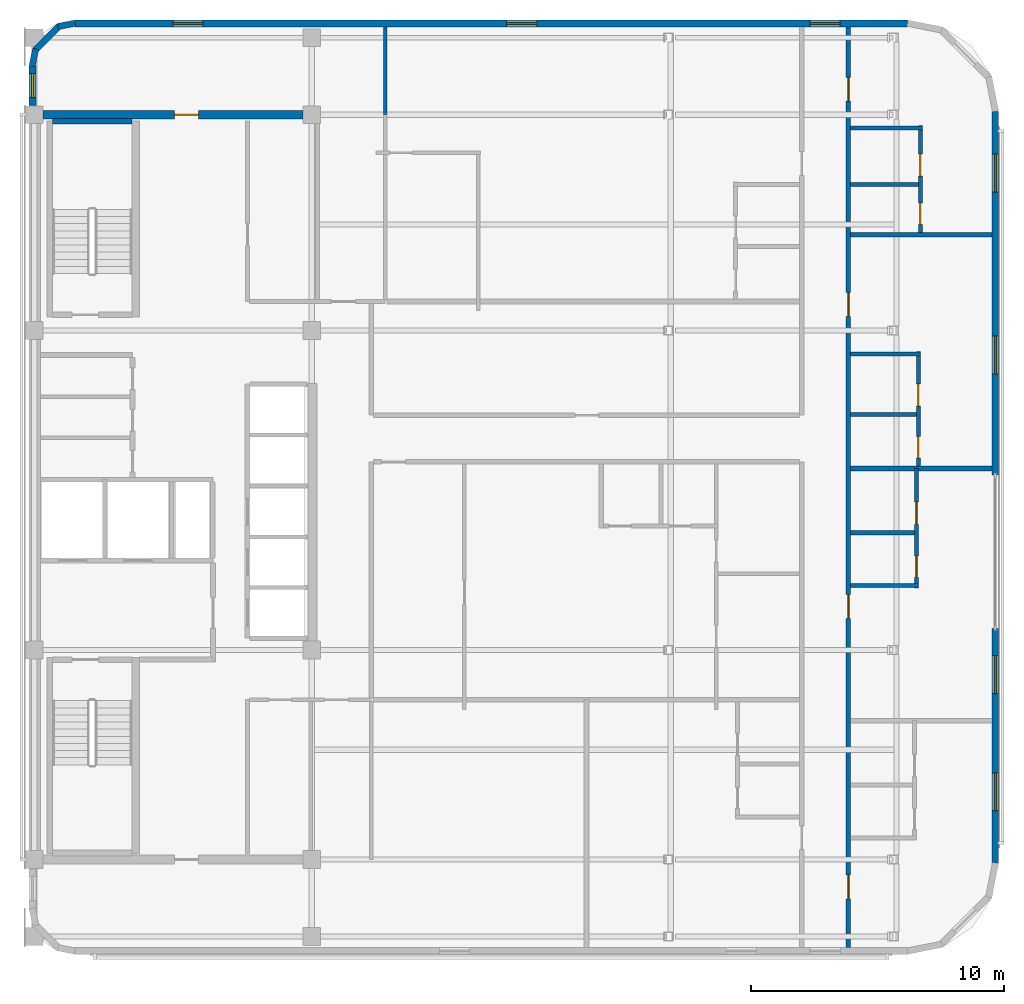
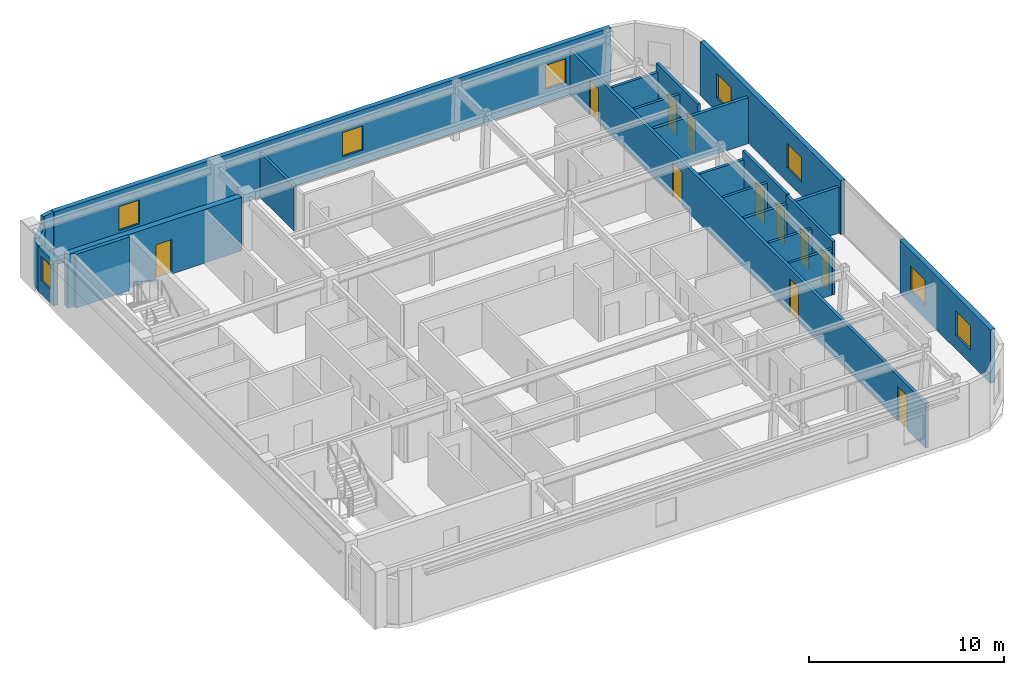
# One storey, part 6 of 10: 22 walls, 11 doors, 8 windows, 19 openings.
"""IFC4 building model written with IfcOpenShell, lengths in metres."""

import ifcopenshell
import ifcopenshell.guid

model = None  # the IFC model being written
_history = None  # IfcOwnerHistory: only IFC2X3 demands one
_inside = {}  # id of a spatial element -> (the spatial element, [elements in it])
_under = {}  # id of a project, library or spatial element -> (it, [spatial elements below it])
_declared = {}  # id of a project -> (the project, [libraries it declares])
_typed = {}  # id of a type object -> (the type object, [elements of that type])
_made_of = {}  # id of a material, layer set ... -> (it, [elements and type objects made of it])


def new_model(schema):
    """Start an empty IFC model of exactly this schema.

    Asked for "IFC4X3", IfcOpenShell would pick the latest addendum, in which some entities
    have other attributes; the version numbers below select the first issue.
    IFC2X3 requires an IfcOwnerHistory on every rooted entity: one is made here for all.
    """
    global model, _history
    if schema == "IFC4X3":
        model = ifcopenshell.file(schema_version=(4, 3, 0, 0))
    else:
        model = ifcopenshell.file(schema=schema)
    _inside.clear()
    _under.clear()
    _declared.clear()
    _typed.clear()
    _made_of.clear()
    _history = None
    if model.schema == "IFC2X3":
        org = make("IfcOrganization", Name="unknown")
        user = make(
            "IfcPersonAndOrganization",
            ThePerson=make("IfcPerson", FamilyName="unknown"),
            TheOrganization=org,
        )
        app = make(
            "IfcApplication",
            ApplicationDeveloper=org,
            Version="unknown",
            ApplicationFullName="unknown",
            ApplicationIdentifier="unknown",
        )
        _history = make(
            "IfcOwnerHistory",
            OwningUser=user,
            OwningApplication=app,
            ChangeAction="ADDED",
            CreationDate=0,
        )
    return model


def make(cls, **values):
    """One entity of the class cls with the attributes given. An attribute that is None is left unset."""
    return model.create_entity(
        cls, **{name: value for name, value in values.items() if value is not None}
    )


def rooted(cls, **values):
    """An entity with a GlobalId (a new one), such as an element, a storey or a relation."""
    return make(cls, GlobalId=ifcopenshell.guid.new(), OwnerHistory=_history, **values)


def si_unit(unit_type, name, prefix=None):
    """IfcSIUnit, for example si_unit("LENGTHUNIT", "METRE", prefix="MILLI")."""
    return make("IfcSIUnit", UnitType=unit_type, Prefix=prefix, Name=name)


def assignment(units):
    """IfcUnitAssignment: the units of a project."""
    return None if units is None else make("IfcUnitAssignment", Units=units)


def point(xyz):
    """IfcCartesianPoint."""
    return None if xyz is None else make("IfcCartesianPoint", Coordinates=xyz)


def direction(xyz):
    """IfcDirection."""
    return None if xyz is None else make("IfcDirection", DirectionRatios=xyz)


def frame(location, z_axis=None, x_axis=None):
    """IfcAxis2Placement3D, a coordinate frame: its origin and axes. An axis left out is left unset."""
    return make(
        "IfcAxis2Placement3D",
        Location=point(location),
        Axis=direction(z_axis),
        RefDirection=direction(x_axis),
    )


def frame_2d(location, x_axis=None):
    """IfcAxis2Placement2D, a coordinate frame in the plane: its origin and x axis."""
    return make(
        "IfcAxis2Placement2D", Location=point(location), RefDirection=direction(x_axis)
    )


def origin():
    """The frame at (0, 0, 0) with its axes left unset."""
    return frame((0.0, 0.0, 0.0))


def place(relative_to, where):
    """IfcLocalPlacement: puts the frame where relative to a parent placement (None: the world)."""
    return make(
        "IfcLocalPlacement", PlacementRelTo=relative_to, RelativePlacement=where
    )


def context(
    kind, dimensions, precision=None, world=None, true_north=None, identifier=None
):
    """IfcGeometricRepresentationContext, for example the 3D "Model" context."""
    return make(
        "IfcGeometricRepresentationContext",
        ContextIdentifier=identifier,
        ContextType=kind,
        CoordinateSpaceDimension=dimensions,
        Precision=precision,
        WorldCoordinateSystem=world,
        TrueNorth=true_north,
    )


def subcontext(parent, identifier, kind, view, scale=None):
    """IfcGeometricRepresentationSubContext, for example "Body" below "Model"."""
    return make(
        "IfcGeometricRepresentationSubContext",
        ContextIdentifier=identifier,
        ContextType=kind,
        ParentContext=parent,
        TargetScale=scale,
        TargetView=view,
    )


def project(units=None, contexts=None):
    """IfcProject with its units and contexts."""
    return rooted(
        "IfcProject",
        Name="project",
        RepresentationContexts=contexts,
        UnitsInContext=assignment(units),
    )


def spatial(cls, under=None, at=None, **own):
    """A site, building, storey or space (cls), placed at a placement, below another one or the project."""
    s = rooted(cls, ObjectPlacement=at, **own)
    if under is not None:
        _under.setdefault(under.id(), (under, []))[1].append(s)
    return s


def profile(cls, at=None, kind="AREA", **sizes):
    """A parametric profile (cls). Its sizes go by their IFC names, for example OverallWidth=200.0."""
    return make(cls, ProfileType=kind, Position=at, **sizes)


def rectangle(**sizes):
    """IfcRectangleProfileDef."""
    return profile("IfcRectangleProfileDef", **sizes)


def extrude(swept, where, along, depth):
    """IfcExtrudedAreaSolid: the profile swept, set in the frame where, extruded along a direction by depth."""
    return make(
        "IfcExtrudedAreaSolid",
        SweptArea=swept,
        Position=where,
        ExtrudedDirection=direction(along),
        Depth=depth,
    )


def shape(context_of_items, identifier, shape_type, items):
    """IfcShapeRepresentation: the items that make up one representation, for example the "Body"."""
    return make(
        "IfcShapeRepresentation",
        ContextOfItems=context_of_items,
        RepresentationIdentifier=identifier,
        RepresentationType=shape_type,
        Items=items,
    )


def material(Name=None, Category=None):
    """IfcMaterial."""
    return make("IfcMaterial", Name=Name, Category=Category)


def layer(
    of_material, thickness, ventilated=None, Name=None, Category=None, Priority=None
):
    """IfcMaterialLayer: one layer of a wall or slab, of a material (None: an air gap)."""
    return make(
        "IfcMaterialLayer",
        Material=of_material,
        LayerThickness=thickness,
        IsVentilated=ventilated,
        Name=Name,
        Category=Category,
        Priority=Priority,
    )


def layer_set(layers, Name=None):
    """IfcMaterialLayerSet."""
    return make("IfcMaterialLayerSet", MaterialLayers=layers, LayerSetName=Name)


def made_of(thing, what):
    """Note that an element or type object is made of a material, layer set ...; save() writes the relation."""
    if what is not None:
        _made_of.setdefault(what.id(), (what, []))[1].append(thing)
    return thing


def type_object(cls, material=None, **own):
    """A type object (cls), such as IfcWallType, which elements share."""
    return made_of(rooted(cls, **own), material)


def element(
    cls,
    number,
    at=None,
    inside=None,
    cuts=None,
    type_object=None,
    material=None,
    context=None,
    identifier="Body",
    shape_type=None,
    held_by="IfcProductDefinitionShape",
    body=None,
    shapes=None,
    **own,
):
    """One element of the class cls, such as IfcWall. Its Tag is "e" and its number.

    at: its placement. inside: the storey or other place that contains it. cuts: it is an
    opening in that element (IfcRelVoidsElement). A single representation is given by context,
    identifier, shape_type and body (its items); several are given by shapes. held_by: the class
    of the entity that holds the representations. save() writes the other relations.
    """
    e = rooted(cls, Tag="e%d" % number, ObjectPlacement=at, **own)
    if body is not None:
        shapes = [shape(context, identifier, shape_type, body)]
    if shapes is not None:
        e.Representation = make(held_by, Representations=shapes)
    if inside is not None:
        _inside.setdefault(inside.id(), (inside, []))[1].append(e)
    if cuts is not None:
        rooted(
            "IfcRelVoidsElement", RelatingBuildingElement=cuts, RelatedOpeningElement=e
        )
    if type_object is not None:
        _typed.setdefault(type_object.id(), (type_object, []))[1].append(e)
    return made_of(e, material)


def fill(opening, filler):
    """IfcRelFillsElement: the door or window that sits in an opening."""
    return rooted(
        "IfcRelFillsElement",
        RelatingOpeningElement=opening,
        RelatedBuildingElement=filler,
    )


def aggregate(whole, parts):
    """IfcRelAggregates: a whole, such as a stair, and the parts it consists of."""
    return rooted("IfcRelAggregates", RelatingObject=whole, RelatedObjects=parts)


def save(model, path):
    """Write the relations noted so far, then the file.

    IfcRelAggregates (storeys below a building ...), IfcRelContainedInSpatialStructure (elements
    in a storey), IfcRelDefinesByType, IfcRelAssociatesMaterial and IfcRelDeclares: one each for
    every whole, place, type object, material and project.
    """
    for whole, parts in _under.values():
        aggregate(whole, parts)
    for where, things in _inside.values():
        rooted(
            "IfcRelContainedInSpatialStructure",
            RelatedElements=things,
            RelatingStructure=where,
        )
    for kind, things in _typed.values():
        rooted("IfcRelDefinesByType", RelatedObjects=things, RelatingType=kind)
    for what, things in _made_of.values():
        rooted("IfcRelAssociatesMaterial", RelatedObjects=things, RelatingMaterial=what)
    for by, libraries in _declared.values():
        rooted("IfcRelDeclares", RelatingContext=by, RelatedDefinitions=libraries)
    model.write(path)


model = new_model("IFC4")

# Units and contexts
model_context = context("Model", 3, precision=1e-05, world=origin(), true_north=direction((0.0, 1.0)))
body_context = subcontext(model_context, "Body", "Model", "MODEL_VIEW")
ifc_project = project(units=[si_unit("LENGTHUNIT", "METRE"), si_unit("AREAUNIT", "SQUARE_METRE"), si_unit("VOLUMEUNIT", "CUBIC_METRE"), si_unit("PLANEANGLEUNIT", "RADIAN"), si_unit("MASSUNIT", "GRAM", prefix="KILO")], contexts=[model_context])

# Site, building, storey
site_placement = place(None, origin())
site = spatial("IfcSite", under=ifc_project, at=site_placement, CompositionType="ELEMENT")
building_placement = place(site_placement, origin())
building = spatial("IfcBuilding", under=site, at=building_placement, Name="Ochreholt Gables", CompositionType="ELEMENT")
storey_placement = place(building_placement, frame((0.0, 0.0, 267.60009765625)))
storey = spatial("IfcBuildingStorey", under=building, at=storey_placement, Name="L70", CompositionType="ELEMENT", Elevation=267.60009765625)

# Wall, opening, door
ifc_material_1 = material(Name="Concrete 50 MPa", Category="concrete")
ifc_layer_1 = layer(ifc_material_1, 0.35009765625, Name="Concrete 50 MPa")
ifc_layer_set_1 = layer_set([ifc_layer_1], Name="Concrete 50 MPa")
wall_type_1 = type_object("IfcWallType", Name="WALL-CSW-350", PredefinedType="SHEAR", material=ifc_layer_set_1)
wall_1_placement = place(storey_placement, frame((24.550048828125, 38.75, 0.0), z_axis=(0.0, 0.0, 1.0), x_axis=(1.0, 0.0, 0.0)))
wall_1 = element("IfcWall", 1, at=wall_1_placement, inside=storey, type_object=wall_type_1, Name="L70 Core North Shear Wall", PredefinedType="SHEAR", context=body_context, shape_type="SweptSolid", body=[
    extrude(rectangle(XDim=10.300048828125, YDim=0.35009765625, at=frame_2d((5.14990234375, 0.0))), origin(), (0.0, 0.0, 1.0), 3.35986328125),
])
opening_1_placement = place(wall_1_placement, frame((5.199951171875, 0.0, 0.0)))
opening_1 = element("IfcOpeningElement", 2, at=opening_1_placement, cuts=wall_1, Name="Opening D-FL2", PredefinedType="OPENING", context=body_context, shape_type="SweptSolid", body=[
    extrude(rectangle(XDim=0.949951171875, YDim=2.14990234375, at=frame_2d((0.47509765625, 1.074951171875))), frame((0.0, 0.18505859375, 0.0), z_axis=(0.0, -1.0, 0.0), x_axis=(1.0, 0.0, 0.0)), (0.0, 0.0, 1.0), 0.3701171875),
])
ifc_material_2 = material(Name="Hollow Metal Steel", Category="steel")
door_type_1 = type_object("IfcDoorType", Name="DR-INT-FLB950", OperationType="NOTDEFINED", PredefinedType="DOOR", material=ifc_material_2)
door_1_placement = place(opening_1_placement, origin())
door_1 = element("IfcDoor", 3, at=door_1_placement, inside=storey, type_object=door_type_1, Name="L70 Door D-C3NSR-L70", OperationType="SINGLE_SWING_RIGHT", OverallHeight=2.14990234375, OverallWidth=0.949951171875, PredefinedType="DOOR", context=body_context, shape_type="SweptSolid", body=[
    extrude(rectangle(XDim=0.949951171875, YDim=2.14990234375, at=frame_2d((0.47509765625, 1.074951171875))), frame((0.0, 0.02490234375, 0.0), z_axis=(0.0, -1.0, 0.0), x_axis=(1.0, 0.0, 0.0)), (0.0, 0.0, 1.0), 0.050048828125),
])
fill(opening_1, door_1)

# Wall, openings, windows
ifc_material_3 = material(Name="Precast concrete 40 MPa", Category="concrete")
ifc_layer_2 = layer(ifc_material_3, 0.27001953125, Name="Precast concrete 40 MPa")
ifc_layer_set_2 = layer_set([ifc_layer_2], Name="Precast concrete 40 MPa")
wall_type_2 = type_object("IfcWallType", Name="WALL-EXT-270", PredefinedType="SOLIDWALL", material=ifc_layer_set_2)
wall_2_placement = place(storey_placement, frame((62.264892578125, 9.1201171875, 0.0), z_axis=(0.0, 0.0, 1.0), x_axis=(0.0, 1.0, 0.0)))
wall_2 = element("IfcWall", 4, at=wall_2_placement, inside=storey, type_object=wall_type_2, Name="L70 East Facade Wall 1", PredefinedType="SOLIDWALL", context=body_context, shape_type="SweptSolid", body=[
    extrude(rectangle(XDim=9.27978515625, YDim=0.27001953125, at=frame_2d((4.639892578125, 0.0))), origin(), (0.0, 0.0, 1.0), 3.35986328125),
])
opening_2_placement = place(wall_2_placement, frame((2.06494140625, 0.0, 0.85009765625)))
opening_2 = element("IfcOpeningElement", 5, at=opening_2_placement, cuts=wall_2, Name="Opening WN-2", PredefinedType="OPENING", context=body_context, shape_type="SweptSolid", body=[
    extrude(rectangle(XDim=1.5, YDim=1.550048828125, at=frame_2d((0.75, 0.77490234375))), frame((0.0, 0.14501953125, 0.0), z_axis=(0.0, -1.0, 0.0), x_axis=(1.0, 0.0, 0.0)), (0.0, 0.0, 1.0), 0.2900390625),
])
opening_3_placement = place(wall_2_placement, frame((6.705078125, 0.0, 0.85009765625)))
opening_3 = element("IfcOpeningElement", 6, at=opening_3_placement, cuts=wall_2, Name="Opening WN-2", PredefinedType="OPENING", context=body_context, shape_type="SweptSolid", body=[
    extrude(rectangle(XDim=1.5, YDim=1.550048828125, at=frame_2d((0.75, 0.77490234375))), frame((0.0, 0.14501953125, 0.0), z_axis=(0.0, -1.0, 0.0), x_axis=(1.0, 0.0, 0.0)), (0.0, 0.0, 1.0), 0.2900390625),
])
ifc_material_4 = material(Name="Triple-Glazed Thermally Broken Aluminium Window", Category="aluminium")
window_type_1 = type_object("IfcWindowType", Name="WIN-RES-1500", PartitioningType="SINGLE_PANEL", PredefinedType="WINDOW", material=ifc_material_4)
window_1_placement = place(opening_2_placement, origin())
window_1 = element("IfcWindow", 7, at=window_1_placement, inside=storey, type_object=window_type_1, Name="L70 Window W-EXT-E1-L70-1", OverallHeight=1.550048828125, OverallWidth=1.5, PartitioningType="SINGLE_PANEL", PredefinedType="WINDOW", context=body_context, shape_type="SweptSolid", body=[
    extrude(rectangle(XDim=1.5, YDim=1.550048828125, at=frame_2d((0.75, 0.77490234375))), frame((0.0, 0.030029296875, 0.0), z_axis=(0.0, -1.0, 0.0), x_axis=(1.0, 0.0, 0.0)), (0.0, 0.0, 1.0), 0.06005859375),
])
fill(opening_2, window_1)
window_2_placement = place(opening_3_placement, origin())
window_2 = element("IfcWindow", 8, at=window_2_placement, inside=storey, type_object=window_type_1, Name="L70 Window W-EXT-E1-L70-2", OverallHeight=1.550048828125, OverallWidth=1.5, PartitioningType="SINGLE_PANEL", PredefinedType="WINDOW", context=body_context, shape_type="SweptSolid", body=[
    extrude(rectangle(XDim=1.5, YDim=1.550048828125, at=frame_2d((0.75, 0.77490234375))), frame((0.0, 0.030029296875, 0.0), z_axis=(0.0, -1.0, 0.0), x_axis=(1.0, 0.0, 0.0)), (0.0, 0.0, 1.0), 0.06005859375),
])
fill(opening_3, window_2)

wall_3_placement = place(storey_placement, frame((62.264892578125, 24.489990234375, 0.0), z_axis=(0.0, 0.0, 1.0), x_axis=(0.0, 1.0, 0.0)))
wall_3 = element("IfcWall", 9, at=wall_3_placement, inside=storey, type_object=wall_type_2, Name="L70 East Facade Wall 2", PredefinedType="SOLIDWALL", context=body_context, shape_type="SweptSolid", body=[
    extrude(rectangle(XDim=14.389892578125, YDim=0.27001953125, at=frame_2d((7.19482421875, 0.0))), origin(), (0.0, 0.0, 1.0), 3.35986328125),
])
opening_4_placement = place(wall_3_placement, frame((4.0, 0.0, 0.85009765625)))
opening_4 = element("IfcOpeningElement", 10, at=opening_4_placement, cuts=wall_3, Name="Opening WN-2", PredefinedType="OPENING", context=body_context, shape_type="SweptSolid", body=[
    extrude(rectangle(XDim=1.5, YDim=1.550048828125, at=frame_2d((0.75, 0.77490234375))), frame((0.0, 0.14501953125, 0.0), z_axis=(0.0, -1.0, 0.0), x_axis=(1.0, 0.0, 0.0)), (0.0, 0.0, 1.0), 0.2900390625),
])
opening_5_placement = place(wall_3_placement, frame((11.195068359375, 0.0, 0.85009765625)))
opening_5 = element("IfcOpeningElement", 11, at=opening_5_placement, cuts=wall_3, Name="Opening WN-2", PredefinedType="OPENING", context=body_context, shape_type="SweptSolid", body=[
    extrude(rectangle(XDim=1.5, YDim=1.550048828125, at=frame_2d((0.75, 0.77490234375))), frame((0.0, 0.14501953125, 0.0), z_axis=(0.0, -1.0, 0.0), x_axis=(1.0, 0.0, 0.0)), (0.0, 0.0, 1.0), 0.2900390625),
])
window_3_placement = place(opening_4_placement, origin())
window_3 = element("IfcWindow", 12, at=window_3_placement, inside=storey, type_object=window_type_1, Name="L70 Window W-EXT-E2-L70-1", OverallHeight=1.550048828125, OverallWidth=1.5, PartitioningType="SINGLE_PANEL", PredefinedType="WINDOW", context=body_context, shape_type="SweptSolid", body=[
    extrude(rectangle(XDim=1.5, YDim=1.550048828125, at=frame_2d((0.75, 0.77490234375))), frame((0.0, 0.030029296875, 0.0), z_axis=(0.0, -1.0, 0.0), x_axis=(1.0, 0.0, 0.0)), (0.0, 0.0, 1.0), 0.06005859375),
])
fill(opening_4, window_3)
window_4_placement = place(opening_5_placement, origin())
window_4 = element("IfcWindow", 13, at=window_4_placement, inside=storey, type_object=window_type_1, Name="L70 Window W-EXT-E2-L70-2", OverallHeight=1.550048828125, OverallWidth=1.5, PartitioningType="SINGLE_PANEL", PredefinedType="WINDOW", context=body_context, shape_type="SweptSolid", body=[
    extrude(rectangle(XDim=1.5, YDim=1.550048828125, at=frame_2d((0.75, 0.77490234375))), frame((0.0, 0.030029296875, 0.0), z_axis=(0.0, -1.0, 0.0), x_axis=(1.0, 0.0, 0.0)), (0.0, 0.0, 1.0), 0.06005859375),
])
fill(opening_5, window_4)

wall_4_placement = place(storey_placement, frame((58.780029296875, 42.364990234375, 0.0), z_axis=(0.0, 0.0, 1.0), x_axis=(-1.0, 0.0, 0.0)))
wall_4 = element("IfcWall", 14, at=wall_4_placement, inside=storey, type_object=wall_type_2, Name="L70 North Exterior Wall", PredefinedType="SOLIDWALL", context=body_context, shape_type="SweptSolid", body=[
    extrude(rectangle(XDim=32.9599609375, YDim=0.27001953125, at=frame_2d((16.47998046875, 0.0))), origin(), (0.0, 0.0, 1.0), 3.35986328125),
])
opening_6_placement = place(wall_4_placement, frame((27.889892578125, 0.0, 0.85009765625)))
opening_6 = element("IfcOpeningElement", 15, at=opening_6_placement, cuts=wall_4, Name="Opening WN-3", PredefinedType="OPENING", context=body_context, shape_type="SweptSolid", body=[
    extrude(rectangle(XDim=1.199951171875, YDim=1.5, at=frame_2d((0.60009765625, 0.75))), frame((0.0, 0.14501953125, 0.0), z_axis=(0.0, -1.0, 0.0), x_axis=(1.0, 0.0, 0.0)), (0.0, 0.0, 1.0), 0.2900390625),
])
opening_7_placement = place(wall_4_placement, frame((14.66748046875, 0.0, 0.85009765625)))
opening_7 = element("IfcOpeningElement", 16, at=opening_7_placement, cuts=wall_4, Name="Opening WN-3", PredefinedType="OPENING", context=body_context, shape_type="SweptSolid", body=[
    extrude(rectangle(XDim=1.199951171875, YDim=1.5, at=frame_2d((0.60009765625, 0.75))), frame((0.0, 0.14501953125, 0.0), z_axis=(0.0, -1.0, 0.0), x_axis=(1.0, 0.0, 0.0)), (0.0, 0.0, 1.0), 0.2900390625),
])
opening_8_placement = place(wall_4_placement, frame((2.655029296875, 0.0, 0.85009765625)))
opening_8 = element("IfcOpeningElement", 17, at=opening_8_placement, cuts=wall_4, Name="Opening WN-3", PredefinedType="OPENING", context=body_context, shape_type="SweptSolid", body=[
    extrude(rectangle(XDim=1.199951171875, YDim=1.5, at=frame_2d((0.60009765625, 0.75))), frame((0.0, 0.14501953125, 0.0), z_axis=(0.0, -1.0, 0.0), x_axis=(1.0, 0.0, 0.0)), (0.0, 0.0, 1.0), 0.2900390625),
])
window_type_2 = type_object("IfcWindowType", Name="WIN-RES-1200", PartitioningType="SINGLE_PANEL", PredefinedType="WINDOW", material=ifc_material_4)
window_5_placement = place(opening_6_placement, origin())
window_5 = element("IfcWindow", 18, at=window_5_placement, inside=storey, type_object=window_type_2, Name="L70 Window W-EXT-N-L70-1", OverallHeight=1.5, OverallWidth=1.199951171875, PartitioningType="SINGLE_PANEL", PredefinedType="WINDOW", context=body_context, shape_type="SweptSolid", body=[
    extrude(rectangle(XDim=1.199951171875, YDim=1.5, at=frame_2d((0.60009765625, 0.75))), frame((0.0, 0.030029296875, 0.0), z_axis=(0.0, -1.0, 0.0), x_axis=(1.0, 0.0, 0.0)), (0.0, 0.0, 1.0), 0.06005859375),
])
fill(opening_6, window_5)
window_6_placement = place(opening_7_placement, origin())
window_6 = element("IfcWindow", 19, at=window_6_placement, inside=storey, type_object=window_type_2, Name="L70 Window W-EXT-N-L70-2", OverallHeight=1.5, OverallWidth=1.199951171875, PartitioningType="SINGLE_PANEL", PredefinedType="WINDOW", context=body_context, shape_type="SweptSolid", body=[
    extrude(rectangle(XDim=1.199951171875, YDim=1.5, at=frame_2d((0.60009765625, 0.75))), frame((0.0, 0.030029296875, 0.0), z_axis=(0.0, -1.0, 0.0), x_axis=(1.0, 0.0, 0.0)), (0.0, 0.0, 1.0), 0.06005859375),
])
fill(opening_7, window_6)
window_7_placement = place(opening_8_placement, origin())
window_7 = element("IfcWindow", 20, at=window_7_placement, inside=storey, type_object=window_type_2, Name="L70 Window W-EXT-N-L70-3", OverallHeight=1.5, OverallWidth=1.199951171875, PartitioningType="SINGLE_PANEL", PredefinedType="WINDOW", context=body_context, shape_type="SweptSolid", body=[
    extrude(rectangle(XDim=1.199951171875, YDim=1.5, at=frame_2d((0.60009765625, 0.75))), frame((0.0, 0.030029296875, 0.0), z_axis=(0.0, -1.0, 0.0), x_axis=(1.0, 0.0, 0.0)), (0.0, 0.0, 1.0), 0.06005859375),
])
fill(opening_8, window_7)

# Wall, opening, window
wall_5_placement = place(storey_placement, frame((24.135009765625, 39.1201171875, 0.0), z_axis=(0.0, 0.0, 1.0), x_axis=(0.0, 1.0, 0.0)))
wall_5 = element("IfcWall", 21, at=wall_5_placement, inside=storey, type_object=wall_type_2, Name="L70 West Facade North Bay Wall", PredefinedType="SOLIDWALL", context=body_context, shape_type="SweptSolid", body=[
    extrude(rectangle(XDim=1.559814453125, YDim=0.27001953125, at=frame_2d((0.77978515625, 0.0))), origin(), (0.0, 0.0, 1.0), 2.802978515625),
])
opening_9_placement = place(wall_5_placement, frame((0.304931640625, 0.0, 0.85009765625)))
opening_9 = element("IfcOpeningElement", 22, at=opening_9_placement, cuts=wall_5, Name="Opening WN-10", PredefinedType="OPENING", context=body_context, shape_type="SweptSolid", body=[
    extrude(rectangle(XDim=0.949951171875, YDim=1.5, at=frame_2d((0.47509765625, 0.75))), frame((0.0, 0.14501953125, 0.0), z_axis=(0.0, -1.0, 0.0), x_axis=(1.0, 0.0, 0.0)), (0.0, 0.0, 1.0), 0.2900390625),
])
window_type_3 = type_object("IfcWindowType", Name="WIN-RES-950", PartitioningType="SINGLE_PANEL", PredefinedType="WINDOW", material=ifc_material_4)
window_8_placement = place(opening_9_placement, origin())
window_8 = element("IfcWindow", 23, at=window_8_placement, inside=storey, type_object=window_type_3, Name="L70 North Sky Reading West Window", OverallHeight=1.5, OverallWidth=0.949951171875, PartitioningType="SINGLE_PANEL", PredefinedType="WINDOW", context=body_context, shape_type="SweptSolid", body=[
    extrude(rectangle(XDim=0.949951171875, YDim=1.5, at=frame_2d((0.47509765625, 0.75))), frame((0.0, 0.030029296875, 0.0), z_axis=(0.0, -1.0, 0.0), x_axis=(1.0, 0.0, 0.0)), (0.0, 0.0, 1.0), 0.06005859375),
])
fill(opening_9, window_8)

# Walls
ifc_layer_3 = layer(ifc_material_3, 0.25, Name="Precast concrete 40 MPa")
ifc_layer_set_3 = layer_set([ifc_layer_3], Name="Precast concrete 40 MPa")
wall_type_3 = type_object("IfcWallType", Name="WALL-EXT-CNR", PredefinedType="SOLIDWALL", material=ifc_layer_set_3)
wall_6_placement = place(storey_placement, frame((25.81640625, 42.375732421875, 0.0), z_axis=(0.0, 0.0, 1.0), x_axis=(-0.980812594069, -0.194952956674, 0.0)))
element("IfcWall", 24, at=wall_6_placement, inside=storey, type_object=wall_type_3, Name="L70 Rounded Corner Wall NW-1", PredefinedType="SOLIDWALL", context=body_context, shape_type="SweptSolid", body=[
    extrude(rectangle(XDim=0.686279296875, YDim=0.25, at=frame_2d((0.34326171875, 0.0))), origin(), (0.0, 0.0, 1.0), 3.35986328125),
])
wall_7_placement = place(storey_placement, frame((25.19384765625, 42.26904296875, 0.0), z_axis=(0.0, 0.0, 1.0), x_axis=(-0.707106781187, -0.707106781187, 0.0)))
element("IfcWall", 25, at=wall_7_placement, inside=storey, type_object=wall_type_3, Name="L70 Rounded Corner Wall NW-2", PredefinedType="SOLIDWALL", context=body_context, shape_type="SweptSolid", body=[
    extrude(rectangle(XDim=1.36181640625, YDim=0.25, at=frame_2d((0.680908203125, 0.0))), origin(), (0.0, 0.0, 1.0), 2.802978515625),
])
wall_8_placement = place(storey_placement, frame((24.258056640625, 41.356689453125, 0.0), z_axis=(0.0, 0.0, 1.0), x_axis=(-0.194952956674, -0.980812594069, 0.0)))
element("IfcWall", 26, at=wall_8_placement, inside=storey, type_object=wall_type_3, Name="L70 Rounded Corner Wall NW-3", PredefinedType="SOLIDWALL", context=body_context, shape_type="SweptSolid", body=[
    extrude(rectangle(XDim=0.686279296875, YDim=0.25, at=frame_2d((0.34326171875, 0.0))), origin(), (0.0, 0.0, 1.0), 2.802978515625),
])

# Wall, openings, doors
ifc_material_5 = material(Name="Fire-Rated Gypsum Acoustic Partition", Category="gypsum")
ifc_layer_4 = layer(ifc_material_5, 0.179931640625, Name="Fire-Rated Gypsum Acoustic Partition")
ifc_layer_set_4 = layer_set([ifc_layer_4], Name="Fire-Rated Gypsum Acoustic Partition")
wall_type_4 = type_object("IfcWallType", Name="WALL-INT-CR180", PredefinedType="STANDARD", material=ifc_layer_set_4)
wall_9_placement = place(storey_placement, frame((56.449951171875, 5.77001953125, 0.0), z_axis=(0.0, 0.0, 1.0), x_axis=(0.0, 1.0, 0.0)))
wall_9 = element("IfcWall", 27, at=wall_9_placement, inside=storey, type_object=wall_type_4, Name="L70 Interior Wall WI-C3GE-L70", PredefinedType="STANDARD", context=body_context, shape_type="SweptSolid", body=[
    extrude(rectangle(XDim=36.4599609375, YDim=0.179931640625, at=frame_2d((18.22998046875, 0.0))), origin(), (0.0, 0.0, 1.0), 2.802978515625),
])
opening_10_placement = place(wall_9_placement, frame((1.919921875, 0.0, 0.0)))
opening_10 = element("IfcOpeningElement", 28, at=opening_10_placement, cuts=wall_9, Name="Opening D-UN2", PredefinedType="OPENING", context=body_context, shape_type="SweptSolid", body=[
    extrude(rectangle(XDim=0.93994140625, YDim=2.14990234375, at=frame_2d((0.469970703125, 1.074951171875))), frame((0.0, 0.099853515625, 0.0), z_axis=(0.0, -1.0, 0.0), x_axis=(1.0, 0.0, 0.0)), (0.0, 0.0, 1.0), 0.199951171875),
])
opening_11_placement = place(wall_9_placement, frame((13.030029296875, 0.0, 0.0)))
opening_11 = element("IfcOpeningElement", 29, at=opening_11_placement, cuts=wall_9, Name="Opening D-UN2", PredefinedType="OPENING", context=body_context, shape_type="SweptSolid", body=[
    extrude(rectangle(XDim=0.93994140625, YDim=2.14990234375, at=frame_2d((0.469970703125, 1.074951171875))), frame((0.0, 0.099853515625, 0.0), z_axis=(0.0, -1.0, 0.0), x_axis=(1.0, 0.0, 0.0)), (0.0, 0.0, 1.0), 0.199951171875),
])
opening_12_placement = place(wall_9_placement, frame((24.989990234375, 0.0, 0.0)))
opening_12 = element("IfcOpeningElement", 30, at=opening_12_placement, cuts=wall_9, Name="Opening D-UN2", PredefinedType="OPENING", context=body_context, shape_type="SweptSolid", body=[
    extrude(rectangle(XDim=0.93994140625, YDim=2.14990234375, at=frame_2d((0.469970703125, 1.074951171875))), frame((0.0, 0.099853515625, 0.0), z_axis=(0.0, -1.0, 0.0), x_axis=(1.0, 0.0, 0.0)), (0.0, 0.0, 1.0), 0.199951171875),
])
opening_13_placement = place(wall_9_placement, frame((33.52001953125, 0.0, 0.0)))
opening_13 = element("IfcOpeningElement", 31, at=opening_13_placement, cuts=wall_9, Name="Opening D-UN2", PredefinedType="OPENING", context=body_context, shape_type="SweptSolid", body=[
    extrude(rectangle(XDim=0.93994140625, YDim=2.14990234375, at=frame_2d((0.469970703125, 1.074951171875))), frame((0.0, 0.099853515625, 0.0), z_axis=(0.0, -1.0, 0.0), x_axis=(1.0, 0.0, 0.0)), (0.0, 0.0, 1.0), 0.199951171875),
])
ifc_material_6 = material(Name="Engineered Oak Timber", Category="wood")
door_type_2 = type_object("IfcDoorType", Name="DR-INT-UNT940", OperationType="NOTDEFINED", PredefinedType="DOOR", material=ifc_material_6)
door_2_placement = place(opening_10_placement, origin())
door_2 = element("IfcDoor", 32, at=door_2_placement, inside=storey, type_object=door_type_2, Name="L70 Door D-U-L70E1-ENT", OperationType="SINGLE_SWING_RIGHT", OverallHeight=2.14990234375, OverallWidth=0.93994140625, PredefinedType="DOOR", context=body_context, shape_type="SweptSolid", body=[
    extrude(rectangle(XDim=0.93994140625, YDim=2.14990234375, at=frame_2d((0.469970703125, 1.074951171875))), frame((0.0, 0.02490234375, 0.0), z_axis=(0.0, -1.0, 0.0), x_axis=(1.0, 0.0, 0.0)), (0.0, 0.0, 1.0), 0.050048828125),
])
fill(opening_10, door_2)
door_3_placement = place(opening_11_placement, origin())
door_3 = element("IfcDoor", 33, at=door_3_placement, inside=storey, type_object=door_type_2, Name="L70 Door D-U-L70E2-ENT", OperationType="SINGLE_SWING_LEFT", OverallHeight=2.14990234375, OverallWidth=0.93994140625, PredefinedType="DOOR", context=body_context, shape_type="SweptSolid", body=[
    extrude(rectangle(XDim=0.93994140625, YDim=2.14990234375, at=frame_2d((0.469970703125, 1.074951171875))), frame((0.0, 0.02490234375, 0.0), z_axis=(0.0, -1.0, 0.0), x_axis=(1.0, 0.0, 0.0)), (0.0, 0.0, 1.0), 0.050048828125),
])
fill(opening_11, door_3)
door_4_placement = place(opening_12_placement, origin())
door_4 = element("IfcDoor", 34, at=door_4_placement, inside=storey, type_object=door_type_2, Name="L70 Door D-U-L70E3-ENT", OperationType="SINGLE_SWING_RIGHT", OverallHeight=2.14990234375, OverallWidth=0.93994140625, PredefinedType="DOOR", context=body_context, shape_type="SweptSolid", body=[
    extrude(rectangle(XDim=0.93994140625, YDim=2.14990234375, at=frame_2d((0.469970703125, 1.074951171875))), frame((0.0, 0.02490234375, 0.0), z_axis=(0.0, -1.0, 0.0), x_axis=(1.0, 0.0, 0.0)), (0.0, 0.0, 1.0), 0.050048828125),
])
fill(opening_12, door_4)
door_5_placement = place(opening_13_placement, origin())
door_5 = element("IfcDoor", 35, at=door_5_placement, inside=storey, type_object=door_type_2, Name="L70 Door D-U-L70E4-ENT", OperationType="SINGLE_SWING_LEFT", OverallHeight=2.14990234375, OverallWidth=0.93994140625, PredefinedType="DOOR", context=body_context, shape_type="SweptSolid", body=[
    extrude(rectangle(XDim=0.93994140625, YDim=2.14990234375, at=frame_2d((0.469970703125, 1.074951171875))), frame((0.0, 0.02490234375, 0.0), z_axis=(0.0, -1.0, 0.0), x_axis=(1.0, 0.0, 0.0)), (0.0, 0.0, 1.0), 0.050048828125),
])
fill(opening_13, door_5)

# Walls
ifc_material_7 = material(Name="Double-Stud Acoustic Demising Wall", Category="gypsum")
ifc_layer_5 = layer(ifc_material_7, 0.18505859375, Name="Double-Stud Acoustic Demising Wall")
ifc_layer_set_5 = layer_set([ifc_layer_5], Name="Double-Stud Acoustic Demising Wall")
wall_type_5 = type_object("IfcWallType", Name="WALL-INT-DM185", PredefinedType="PARTITIONING", material=ifc_layer_set_5)
for number, where, z_axis, x_axis, name in (
    (36, (56.5400390625, 24.739990234375, 0.0), (0.0, 0.0, 1.0), (1.0, 0.0, 0.0), "L70 Interior Wall WI-C3UDE3-L70"),
    (37, (56.5400390625, 33.989990234375, 0.0), (0.0, 0.0, 1.0), (1.0, 0.0, 0.0), "L70 Interior Wall WI-C3UDE4-L70"),
):
    element("IfcWall", number, at=place(storey_placement, frame(where, z_axis=z_axis, x_axis=x_axis)), inside=storey, type_object=wall_type_5, Name=name, PredefinedType="PARTITIONING", context=body_context, shape_type="SweptSolid", body=[
        extrude(rectangle(XDim=5.58984375, YDim=0.18505859375, at=frame_2d((2.794921875, 0.0))), origin(), (0.0, 0.0, 1.0), 2.87890625),
    ])
ifc_material_8 = material(Name="Moisture-Resistant Plumbing Chase Wall", Category="gypsum")
ifc_layer_6 = layer(ifc_material_8, 0.159912109375, Name="Moisture-Resistant Plumbing Chase Wall")
ifc_layer_set_6 = layer_set([ifc_layer_6], Name="Moisture-Resistant Plumbing Chase Wall")
wall_type_6 = type_object("IfcWallType", Name="WALL-INT-PL160", PredefinedType="PLUMBINGWALL", material=ifc_layer_set_6)
wall_10_placement = place(storey_placement, frame((56.5400390625, 20.10009765625, 0.0), z_axis=(0.0, 0.0, 1.0), x_axis=(1.0, 0.0, 0.0)))
element("IfcWall", 38, at=wall_10_placement, inside=storey, type_object=wall_type_6, Name="L70 Interior Wall WU-L70E2-WYS", PredefinedType="PLUMBINGWALL", context=body_context, shape_type="SweptSolid", body=[
    extrude(rectangle(XDim=2.681884765625, YDim=0.159912109375, at=frame_2d((1.3408203125, 0.0))), origin(), (0.0, 0.0, 1.0), 2.87890625),
])

# Wall, openings, doors
wall_11_placement = place(storey_placement, frame((59.14208984375, 20.010009765625, 0.0), z_axis=(0.0, 0.0, 1.0), x_axis=(0.0, 1.0, 0.0)))
wall_11 = element("IfcWall", 39, at=wall_11_placement, inside=storey, type_object=wall_type_6, Name="L70 Interior Wall WU-L70E2-WX", PredefinedType="PLUMBINGWALL", context=body_context, shape_type="SweptSolid", body=[
    extrude(rectangle(XDim=4.72998046875, YDim=0.159912109375, at=frame_2d((2.364990234375, 0.0))), origin(), (0.0, 0.0, 1.0), 3.35986328125),
])
opening_14_placement = place(wall_11_placement, frame((0.419921875, 0.0, 0.0)))
opening_14 = element("IfcOpeningElement", 40, at=opening_14_placement, cuts=wall_11, Name="Opening D-BT2", PredefinedType="OPENING", context=body_context, shape_type="SweptSolid", body=[
    extrude(rectangle(XDim=0.840087890625, YDim=2.1201171875, at=frame_2d((0.419921875, 1.06005859375))), frame((0.0, 0.08984375, 0.0), z_axis=(0.0, -1.0, 0.0), x_axis=(1.0, 0.0, 0.0)), (0.0, 0.0, 1.0), 0.179931640625),
])
opening_15_placement = place(wall_11_placement, frame((2.512939453125, 0.0, 0.0)))
opening_15 = element("IfcOpeningElement", 41, at=opening_15_placement, cuts=wall_11, Name="Opening D-GN2", PredefinedType="OPENING", context=body_context, shape_type="SweptSolid", body=[
    extrude(rectangle(XDim=0.8798828125, YDim=2.1201171875, at=frame_2d((0.43994140625, 1.06005859375))), frame((0.0, 0.08984375, 0.0), z_axis=(0.0, -1.0, 0.0), x_axis=(1.0, 0.0, 0.0)), (0.0, 0.0, 1.0), 0.179931640625),
])
door_type_3 = type_object("IfcDoorType", Name="DR-INT-BTH840", OperationType="NOTDEFINED", PredefinedType="DOOR", material=ifc_material_6)
door_6_placement = place(opening_14_placement, origin())
door_6 = element("IfcDoor", 42, at=door_6_placement, inside=storey, type_object=door_type_3, Name="L70 Door D-U-L70E2-BTH", OperationType="SINGLE_SWING_RIGHT", OverallHeight=2.1201171875, OverallWidth=0.840087890625, PredefinedType="DOOR", context=body_context, shape_type="SweptSolid", body=[
    extrude(rectangle(XDim=0.840087890625, YDim=2.1201171875, at=frame_2d((0.419921875, 1.06005859375))), frame((0.0, 0.02490234375, 0.0), z_axis=(0.0, -1.0, 0.0), x_axis=(1.0, 0.0, 0.0)), (0.0, 0.0, 1.0), 0.050048828125),
])
fill(opening_14, door_6)
door_type_4 = type_object("IfcDoorType", Name="DR-INT-GEN880", OperationType="NOTDEFINED", PredefinedType="DOOR", material=ifc_material_6)
door_7_placement = place(opening_15_placement, origin())
door_7 = element("IfcDoor", 43, at=door_7_placement, inside=storey, type_object=door_type_4, Name="L70 Door D-U-L70E2-KIT", OperationType="SINGLE_SWING_LEFT", OverallHeight=2.1201171875, OverallWidth=0.8798828125, PredefinedType="DOOR", context=body_context, shape_type="SweptSolid", body=[
    extrude(rectangle(XDim=0.8798828125, YDim=2.1201171875, at=frame_2d((0.43994140625, 1.06005859375))), frame((0.0, 0.02490234375, 0.0), z_axis=(0.0, -1.0, 0.0), x_axis=(1.0, 0.0, 0.0)), (0.0, 0.0, 1.0), 0.050048828125),
])
fill(opening_15, door_7)

# Walls
wall_12_placement = place(storey_placement, frame((56.5400390625, 22.193115234375, 0.0), z_axis=(0.0, 0.0, 1.0), x_axis=(1.0, 0.0, 0.0)))
element("IfcWall", 44, at=wall_12_placement, inside=storey, type_object=wall_type_6, Name="L70 Interior Wall WU-L70E2-WM", PredefinedType="PLUMBINGWALL", context=body_context, shape_type="SweptSolid", body=[
    extrude(rectangle(XDim=2.52197265625, YDim=0.159912109375, at=frame_2d((1.260986328125, 0.0))), origin(), (0.0, 0.0, 1.0), 2.87890625),
])
wall_13_placement = place(storey_placement, frame((56.5400390625, 29.280029296875, 0.0), z_axis=(0.0, 0.0, 1.0), x_axis=(1.0, 0.0, 0.0)))
element("IfcWall", 45, at=wall_13_placement, inside=storey, type_object=wall_type_6, Name="L70 Interior Wall WU-L70E3-WYN", PredefinedType="PLUMBINGWALL", context=body_context, shape_type="SweptSolid", body=[
    extrude(rectangle(XDim=2.758056640625, YDim=0.159912109375, at=frame_2d((1.37890625, 0.0))), origin(), (0.0, 0.0, 1.0), 2.87890625),
])

# Wall, openings, doors
wall_14_placement = place(storey_placement, frame((59.218017578125, 24.83251953125, 0.0), z_axis=(0.0, 0.0, 1.0), x_axis=(0.0, 1.0, 0.0)))
wall_14 = element("IfcWall", 46, at=wall_14_placement, inside=storey, type_object=wall_type_6, Name="L70 Interior Wall WU-L70E3-WX", PredefinedType="PLUMBINGWALL", context=body_context, shape_type="SweptSolid", body=[
    extrude(rectangle(XDim=4.53759765625, YDim=0.159912109375, at=frame_2d((2.268798828125, 0.0))), origin(), (0.0, 0.0, 1.0), 3.35986328125),
])
opening_16_placement = place(wall_14_placement, frame((0.327392578125, 0.0, 0.0)))
opening_16 = element("IfcOpeningElement", 47, at=opening_16_placement, cuts=wall_14, Name="Opening D-BT2", PredefinedType="OPENING", context=body_context, shape_type="SweptSolid", body=[
    extrude(rectangle(XDim=0.840087890625, YDim=2.1201171875, at=frame_2d((0.419921875, 1.06005859375))), frame((0.0, 0.08984375, 0.0), z_axis=(0.0, -1.0, 0.0), x_axis=(1.0, 0.0, 0.0)), (0.0, 0.0, 1.0), 0.179931640625),
])
opening_17_placement = place(wall_14_placement, frame((2.37451171875, 0.0, 0.0)))
opening_17 = element("IfcOpeningElement", 48, at=opening_17_placement, cuts=wall_14, Name="Opening D-GN2", PredefinedType="OPENING", context=body_context, shape_type="SweptSolid", body=[
    extrude(rectangle(XDim=0.8798828125, YDim=2.1201171875, at=frame_2d((0.43994140625, 1.06005859375))), frame((0.0, 0.08984375, 0.0), z_axis=(0.0, -1.0, 0.0), x_axis=(1.0, 0.0, 0.0)), (0.0, 0.0, 1.0), 0.179931640625),
])
door_8_placement = place(opening_16_placement, origin())
door_8 = element("IfcDoor", 49, at=door_8_placement, inside=storey, type_object=door_type_3, Name="L70 Door D-U-L70E3-BTH", OperationType="SINGLE_SWING_LEFT", OverallHeight=2.1201171875, OverallWidth=0.840087890625, PredefinedType="DOOR", context=body_context, shape_type="SweptSolid", body=[
    extrude(rectangle(XDim=0.840087890625, YDim=2.1201171875, at=frame_2d((0.419921875, 1.06005859375))), frame((0.0, 0.02490234375, 0.0), z_axis=(0.0, -1.0, 0.0), x_axis=(1.0, 0.0, 0.0)), (0.0, 0.0, 1.0), 0.050048828125),
])
fill(opening_16, door_8)
door_9_placement = place(opening_17_placement, origin())
door_9 = element("IfcDoor", 50, at=door_9_placement, inside=storey, type_object=door_type_4, Name="L70 Door D-U-L70E3-KIT", OperationType="SINGLE_SWING_RIGHT", OverallHeight=2.1201171875, OverallWidth=0.8798828125, PredefinedType="DOOR", context=body_context, shape_type="SweptSolid", body=[
    extrude(rectangle(XDim=0.8798828125, YDim=2.1201171875, at=frame_2d((0.43994140625, 1.06005859375))), frame((0.0, 0.02490234375, 0.0), z_axis=(0.0, -1.0, 0.0), x_axis=(1.0, 0.0, 0.0)), (0.0, 0.0, 1.0), 0.050048828125),
])
fill(opening_17, door_9)

# Walls
wall_15_placement = place(storey_placement, frame((56.5400390625, 26.876953125, 0.0), z_axis=(0.0, 0.0, 1.0), x_axis=(1.0, 0.0, 0.0)))
element("IfcWall", 51, at=wall_15_placement, inside=storey, type_object=wall_type_6, Name="L70 Interior Wall WU-L70E3-WM", PredefinedType="PLUMBINGWALL", context=body_context, shape_type="SweptSolid", body=[
    extrude(rectangle(XDim=2.597900390625, YDim=0.159912109375, at=frame_2d((1.298828125, 0.0))), origin(), (0.0, 0.0, 1.0), 2.87890625),
])
wall_16_placement = place(storey_placement, frame((56.5400390625, 38.22998046875, 0.0), z_axis=(0.0, 0.0, 1.0), x_axis=(1.0, 0.0, 0.0)))
element("IfcWall", 52, at=wall_16_placement, inside=storey, type_object=wall_type_6, Name="L70 Interior Wall WU-L70E4-WYN", PredefinedType="PLUMBINGWALL", context=body_context, shape_type="SweptSolid", body=[
    extrude(rectangle(XDim=2.833984375, YDim=0.159912109375, at=frame_2d((1.4169921875, 0.0))), origin(), (0.0, 0.0, 1.0), 2.87890625),
])

# Wall, openings, doors
wall_17_placement = place(storey_placement, frame((59.2939453125, 34.08251953125, 0.0), z_axis=(0.0, 0.0, 1.0), x_axis=(0.0, 1.0, 0.0)))
wall_17 = element("IfcWall", 53, at=wall_17_placement, inside=storey, type_object=wall_type_6, Name="L70 Interior Wall WU-L70E4-WX", PredefinedType="PLUMBINGWALL", context=body_context, shape_type="SweptSolid", body=[
    extrude(rectangle(XDim=4.237548828125, YDim=0.159912109375, at=frame_2d((2.11865234375, 0.0))), origin(), (0.0, 0.0, 1.0), 3.35986328125),
])
opening_18_placement = place(wall_17_placement, frame((0.327392578125, 0.0, 0.0)))
opening_18 = element("IfcOpeningElement", 54, at=opening_18_placement, cuts=wall_17, Name="Opening D-BT2", PredefinedType="OPENING", context=body_context, shape_type="SweptSolid", body=[
    extrude(rectangle(XDim=0.840087890625, YDim=2.1201171875, at=frame_2d((0.419921875, 1.06005859375))), frame((0.0, 0.08984375, 0.0), z_axis=(0.0, -1.0, 0.0), x_axis=(1.0, 0.0, 0.0)), (0.0, 0.0, 1.0), 0.179931640625),
])
opening_19_placement = place(wall_17_placement, frame((2.236572265625, 0.0, 0.0)))
opening_19 = element("IfcOpeningElement", 55, at=opening_19_placement, cuts=wall_17, Name="Opening D-GN2", PredefinedType="OPENING", context=body_context, shape_type="SweptSolid", body=[
    extrude(rectangle(XDim=0.8798828125, YDim=2.1201171875, at=frame_2d((0.43994140625, 1.06005859375))), frame((0.0, 0.08984375, 0.0), z_axis=(0.0, -1.0, 0.0), x_axis=(1.0, 0.0, 0.0)), (0.0, 0.0, 1.0), 0.179931640625),
])
door_10_placement = place(opening_18_placement, origin())
door_10 = element("IfcDoor", 56, at=door_10_placement, inside=storey, type_object=door_type_3, Name="L70 Door D-U-L70E4-BTH", OperationType="SINGLE_SWING_RIGHT", OverallHeight=2.1201171875, OverallWidth=0.840087890625, PredefinedType="DOOR", context=body_context, shape_type="SweptSolid", body=[
    extrude(rectangle(XDim=0.840087890625, YDim=2.1201171875, at=frame_2d((0.419921875, 1.06005859375))), frame((0.0, 0.02490234375, 0.0), z_axis=(0.0, -1.0, 0.0), x_axis=(1.0, 0.0, 0.0)), (0.0, 0.0, 1.0), 0.050048828125),
])
fill(opening_18, door_10)
door_11_placement = place(opening_19_placement, origin())
door_11 = element("IfcDoor", 57, at=door_11_placement, inside=storey, type_object=door_type_4, Name="L70 Door D-U-L70E4-KIT", OperationType="SINGLE_SWING_LEFT", OverallHeight=2.1201171875, OverallWidth=0.8798828125, PredefinedType="DOOR", context=body_context, shape_type="SweptSolid", body=[
    extrude(rectangle(XDim=0.8798828125, YDim=2.1201171875, at=frame_2d((0.43994140625, 1.06005859375))), frame((0.0, 0.02490234375, 0.0), z_axis=(0.0, -1.0, 0.0), x_axis=(1.0, 0.0, 0.0)), (0.0, 0.0, 1.0), 0.050048828125),
])
fill(opening_19, door_11)

# Walls
wall_18_placement = place(storey_placement, frame((56.5400390625, 35.989013671875, 0.0), z_axis=(0.0, 0.0, 1.0), x_axis=(1.0, 0.0, 0.0)))
element("IfcWall", 58, at=wall_18_placement, inside=storey, type_object=wall_type_6, Name="L70 Interior Wall WU-L70E4-WM", PredefinedType="PLUMBINGWALL", context=body_context, shape_type="SweptSolid", body=[
    extrude(rectangle(XDim=2.674072265625, YDim=0.159912109375, at=frame_2d((1.3369140625, 0.0))), origin(), (0.0, 0.0, 1.0), 2.87890625),
])
ifc_material_9 = material(Name="Lightweight Stud Partition", Category="gypsum")
ifc_layer_7 = layer(ifc_material_9, 0.14501953125, Name="Lightweight Stud Partition")
ifc_layer_set_7 = layer_set([ifc_layer_7], Name="Lightweight Stud Partition")
wall_type_7 = type_object("IfcWallType", Name="WALL-INT-PT145", PredefinedType="PARTITIONING", material=ifc_layer_set_7)
wall_19_placement = place(storey_placement, frame((38.10009765625, 38.75, 0.0), z_axis=(0.0, 0.0, 1.0), x_axis=(0.0, 1.0, 0.0)))
element("IfcWall", 59, at=wall_19_placement, inside=storey, type_object=wall_type_7, Name="L70 Interior Wall WI-C3NMW-L70", PredefinedType="PARTITIONING", context=body_context, shape_type="SweptSolid", body=[
    extrude(rectangle(XDim=3.47998046875, YDim=0.14501953125, at=frame_2d((1.739990234375, 0.0))), origin(), (0.0, 0.0, 1.0), 2.802978515625),
])
ifc_layer_8 = layer(ifc_material_1, 0.219970703125, Name="Concrete 50 MPa")
ifc_layer_set_8 = layer_set([ifc_layer_8], Name="Concrete 50 MPa")
wall_type_8 = type_object("IfcWallType", Name="WALL-STW-220", PredefinedType="SHEAR", material=ifc_layer_set_8)
wall_20_placement = place(storey_placement, frame((24.919921875, 38.489990234375, 0.0), z_axis=(0.0, 0.0, 1.0), x_axis=(1.0, 0.0, 0.0)))
element("IfcWall", 60, at=wall_20_placement, inside=storey, type_object=wall_type_8, Name="L70 Exit Stair 2 North Wall", PredefinedType="SHEAR", context=body_context, shape_type="SweptSolid", body=[
    extrude(rectangle(XDim=3.16015625, YDim=0.219970703125, at=frame_2d((1.580078125, 0.0))), origin(), (0.0, 0.0, 1.0), 3.35986328125),
])

save(model, "model.ifc")
